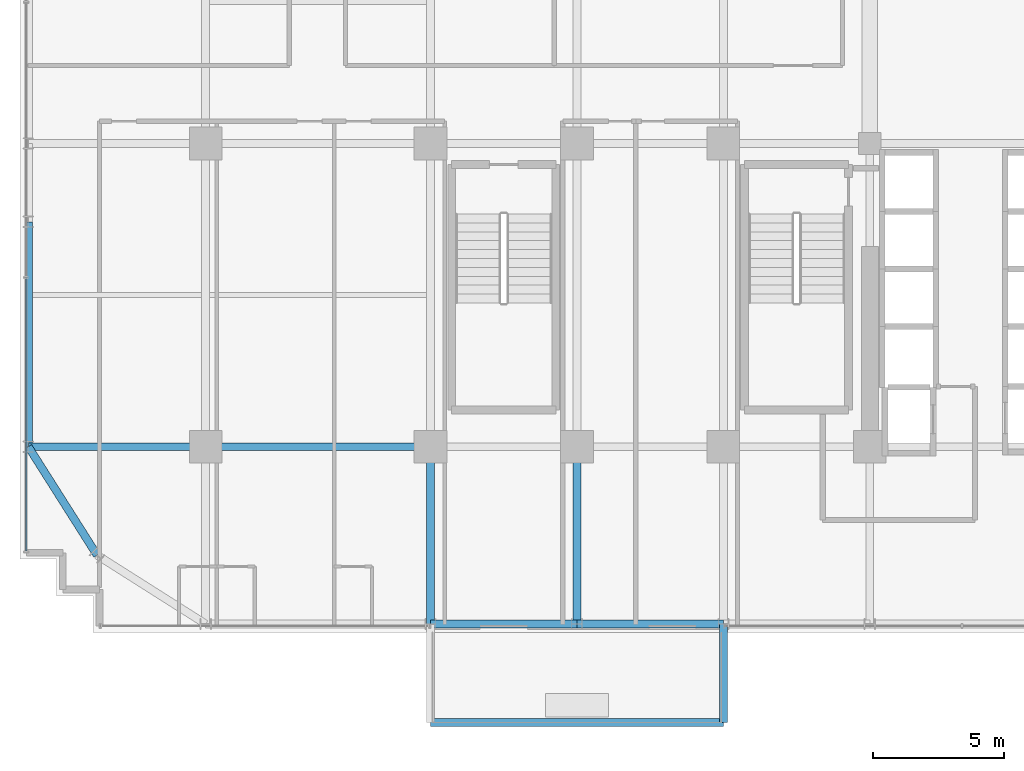
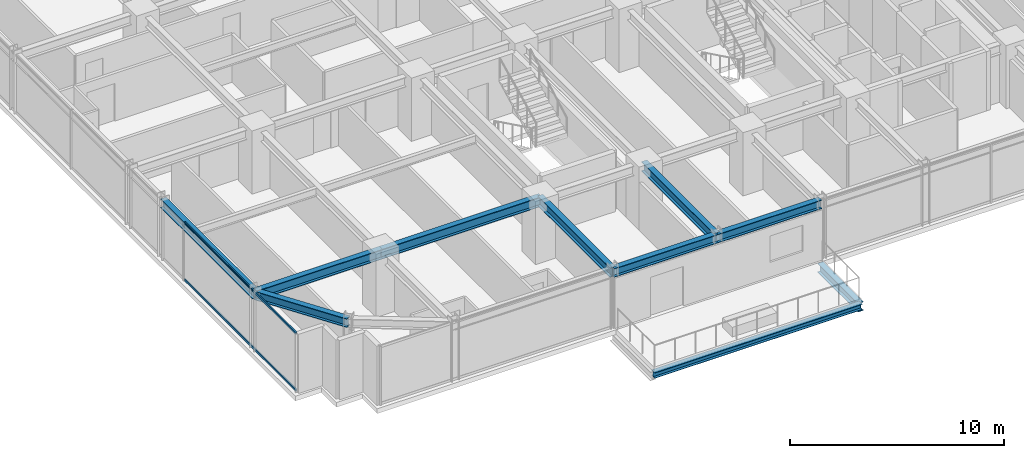
# One storey, part 4 of 33: 10 beams, 2 members, 1 element without a shape of its own.
"""IFC4 building model written with IfcOpenShell, lengths in metres."""

from ifc_helpers import new_model, si_unit, direction, frame, origin, origin_2d, place, context, subcontext, project, spatial, hollow_rectangle, i_section, extrude, source, transform, mapped, material, material_profile, profile_set, type_object, element, aggregate, save


model = new_model("IFC4")

# Units and contexts
model_context = context("Model", 3, precision=1e-05, world=origin(), true_north=direction((0.0, 1.0)))
body_context = subcontext(model_context, "Body", "Model", "MODEL_VIEW")
ifc_project = project(units=[si_unit("LENGTHUNIT", "METRE"), si_unit("AREAUNIT", "SQUARE_METRE"), si_unit("VOLUMEUNIT", "CUBIC_METRE"), si_unit("PLANEANGLEUNIT", "RADIAN"), si_unit("MASSUNIT", "GRAM", prefix="KILO")], contexts=[model_context])

# Site, building, storey
site_placement = place(None, origin())
site = spatial("IfcSite", under=ifc_project, at=site_placement, CompositionType="ELEMENT")
building_placement = place(site_placement, origin())
building = spatial("IfcBuilding", under=site, at=building_placement, Name="Nahalor Promenade Grand Hotel", CompositionType="ELEMENT")
storey_placement = place(building_placement, frame((0.0, 0.0, 117.5)))
storey = spatial("IfcBuildingStorey", under=building, at=storey_placement, Name="L29", CompositionType="ELEMENT", Elevation=117.5)

# Beams
ifc_material_1 = material(Name="Steel S355JR", Category="steel")
ifc_material_profile_1 = material_profile(ifc_material_1, i_section(OverallWidth=0.3, OverallDepth=0.32, WebThickness=0.0115, FlangeThickness=0.0205, at=origin_2d()), Name="HEB 320")
ifc_profile_set_1 = profile_set([ifc_material_profile_1], Name="Steel S355JR")
beam_type_1 = type_object("IfcBeamType", Name="Beam-BalcEdge-HEB320", PredefinedType="SPANDREL", material=ifc_profile_set_1)
shared_shape_1 = source(origin(), body_context, "Body", "SweptSolid", [
    extrude(i_section(OverallWidth=0.3, OverallDepth=0.32, WebThickness=0.0115, FlangeThickness=0.0205, at=origin_2d()), origin(), (0.0, 0.0, 1.0), 11.199951171875),
])
beam_1_placement = place(storey_placement, frame((-8.39990234375, -27.550048828125, -0.43994140625), z_axis=(1.0, 0.0, 0.0), x_axis=(0.0, 1.0, 0.0)))
element("IfcBeam", 1, at=beam_1_placement, inside=storey, type_object=beam_type_1, Name="BM-L29-BC-01-F", PredefinedType="SPANDREL", context=body_context, shape_type="MappedRepresentation", body=[
    mapped(shared_shape_1, transform((0.0, 0.0, 0.0), scale=1.0)),
])
ifc_material_profile_2 = material_profile(ifc_material_1, i_section(OverallWidth=0.3, OverallDepth=0.5, WebThickness=0.0145, FlangeThickness=0.028, at=origin_2d()), Name="HEB 500")
ifc_profile_set_2 = profile_set([ifc_material_profile_2], Name="Steel S355JR")
beam_type_2 = type_object("IfcBeamType", Name="Beam-Outrigger-HEB500", PredefinedType="BEAM", material=ifc_profile_set_2)
shared_shape_2 = source(origin(), body_context, "Body", "SweptSolid", [
    extrude(i_section(OverallWidth=0.3, OverallDepth=0.5, WebThickness=0.0145, FlangeThickness=0.028, at=origin_2d()), origin(), (0.0, 0.0, 1.0), 3.77001953125),
])
beam_2_placement = place(storey_placement, frame((2.800048828125, -27.550048828125, -0.530029296875), z_axis=(0.0, 1.0, 0.0), x_axis=(-1.0, 0.0, 0.0)))
element("IfcBeam", 2, at=beam_2_placement, inside=storey, type_object=beam_type_2, Name="BM-L29-BC-01-2", PredefinedType="BEAM", context=body_context, shape_type="MappedRepresentation", body=[
    mapped(shared_shape_2, transform((0.0, 0.0, 0.0), scale=1.0)),
])
ifc_material_profile_3 = material_profile(ifc_material_1, i_section(OverallWidth=0.3, OverallDepth=0.5, WebThickness=0.0145, FlangeThickness=0.028, at=origin_2d()), Name="HEB 500")
ifc_profile_set_3 = profile_set([ifc_material_profile_3], Name="Steel S355JR")
beam_type_3 = type_object("IfcBeamType", Name="Beam-Spandrel-HEB500", PredefinedType="SPANDREL", material=ifc_profile_set_3)
shared_shape_3 = source(origin(), body_context, "Body", "SweptSolid", [
    extrude(i_section(OverallWidth=0.3, OverallDepth=0.5, WebThickness=0.0145, FlangeThickness=0.028, at=origin_2d()), origin(), (0.0, 0.0, 1.0), 8.60009765625),
])
beam_3_placement = place(storey_placement, frame((-23.780029296875, -17.0, 3.1298828125), z_axis=(0.0, 1.0, 0.0), x_axis=(-1.0, 0.0, 0.0)))
element("IfcBeam", 3, at=beam_3_placement, inside=storey, type_object=beam_type_3, Name="BM-L29-SP-W-0", PredefinedType="SPANDREL", context=body_context, shape_type="MappedRepresentation", body=[
    mapped(shared_shape_3, transform((0.0, 0.0, 0.0), scale=1.0)),
])
shared_shape_4 = source(origin(), body_context, "Body", "SweptSolid", [
    extrude(i_section(OverallWidth=0.3, OverallDepth=0.5, WebThickness=0.0145, FlangeThickness=0.028, at=origin_2d()), origin(), (0.0, 0.0, 1.0), 5.599853515625),
])
beam_4_placement = place(storey_placement, frame((-8.39990234375, -23.780029296875, 3.1298828125), z_axis=(1.0, 0.0, 0.0), x_axis=(0.0, 1.0, 0.0)))
element("IfcBeam", 4, at=beam_4_placement, inside=storey, type_object=beam_type_3, Name="BM-L29-SP-S-1", PredefinedType="SPANDREL", context=body_context, shape_type="MappedRepresentation", body=[
    mapped(shared_shape_4, transform((0.0, 0.0, 0.0), scale=1.0)),
])
shared_shape_5 = source(origin(), body_context, "Body", "SweptSolid", [
    extrude(i_section(OverallWidth=0.3, OverallDepth=0.5, WebThickness=0.0145, FlangeThickness=0.028, at=origin_2d()), origin(), (0.0, 0.0, 1.0), 5.60009765625),
])
beam_5_placement = place(storey_placement, frame((-2.800048828125, -23.780029296875, 3.1298828125), z_axis=(1.0, 0.0, 0.0), x_axis=(0.0, 1.0, 0.0)))
element("IfcBeam", 5, at=beam_5_placement, inside=storey, type_object=beam_type_3, Name="BM-L29-SP-S-2", PredefinedType="SPANDREL", context=body_context, shape_type="MappedRepresentation", body=[
    mapped(shared_shape_5, transform((0.0, 0.0, 0.0), scale=1.0)),
])
shared_shape_6 = source(origin(), body_context, "Body", "SweptSolid", [
    extrude(i_section(OverallWidth=0.3, OverallDepth=0.5, WebThickness=0.0145, FlangeThickness=0.028, at=origin_2d()), origin(), (0.0, 0.0, 1.0), 4.9130859375),
])
beam_6_placement = place(storey_placement, frame((-21.14990234375, -21.14990234375, 3.1298828125), z_axis=(-0.535321591403, 0.844648325505, 0.0), x_axis=(-0.844648325505, -0.535321591403, 0.0)))
element("IfcBeam", 6, at=beam_6_placement, inside=storey, type_object=beam_type_3, Name="BM-L29-SPC-SW-2", PredefinedType="SPANDREL", context=body_context, shape_type="MappedRepresentation", body=[
    mapped(shared_shape_6, transform((0.0, 0.0, 0.0), scale=1.0)),
])
ifc_material_profile_4 = material_profile(ifc_material_1, i_section(OverallWidth=0.3, OverallDepth=0.55, WebThickness=0.015, FlangeThickness=0.029, at=origin_2d()), Name="HEB 550")
ifc_profile_set_4 = profile_set([ifc_material_profile_4], Name="Steel S355JR")
beam_type_4 = type_object("IfcBeamType", Name="Beam-Girder-HEB550", PredefinedType="BEAM", material=ifc_profile_set_4)
shared_shape_7 = source(origin(), body_context, "Body", "SweptSolid", [
    extrude(i_section(OverallWidth=0.3, OverallDepth=0.55, WebThickness=0.015, FlangeThickness=0.029, at=origin_2d()), origin(), (0.0, 0.0, 1.0), 6.780029296875),
])
for number, where, z_axis, x_axis, name in (
    (7, (-23.780029296875, -17.0, 3.10498046875), (1.0, 0.0, 0.0), (0.0, 1.0, 0.0), "BM-L29-GX-0-0"),
    (8, (-8.39990234375, -23.780029296875, 3.10498046875), (0.0, 1.0, 0.0), (-1.0, 0.0, 0.0), "BM-L29-GY-1-0"),
    (9, (-2.800048828125, -23.780029296875, 3.10498046875), (0.0, 1.0, 0.0), (-1.0, 0.0, 0.0), "BM-L29-GY-2-0"),
):
    element("IfcBeam", number, at=place(storey_placement, frame(where, z_axis=z_axis, x_axis=x_axis)), inside=storey, type_object=beam_type_4, Name=name, PredefinedType="BEAM", context=body_context, shape_type="MappedRepresentation", body=[
        mapped(shared_shape_7, transform((0.0, 0.0, 0.0), scale=1.0)),
    ])
shared_shape_8 = source(origin(), body_context, "Body", "SweptSolid", [
    extrude(i_section(OverallWidth=0.3, OverallDepth=0.55, WebThickness=0.015, FlangeThickness=0.029, at=origin_2d()), origin(), (0.0, 0.0, 1.0), 8.60009765625),
])
beam_7_placement = place(storey_placement, frame((-17.0, -17.0, 3.10498046875), z_axis=(1.0, 0.0, 0.0), x_axis=(0.0, 1.0, 0.0)))
element("IfcBeam", 10, at=beam_7_placement, inside=storey, type_object=beam_type_4, Name="BM-L29-GX-0-1", PredefinedType="BEAM", context=body_context, shape_type="MappedRepresentation", body=[
    mapped(shared_shape_8, transform((0.0, 0.0, 0.0), scale=1.0)),
])

# Curtain wall, members
ifc_material_2 = material(Name="Anodised Bronze Aluminium EN AW-6063 T6", Category="aluminium")
curtain_wall_type = type_object("IfcCurtainWallType", Name="CW2 Typical Hotel Flush Bronze Unitised Curtain Wall", PredefinedType="USERDEFINED", material=ifc_material_2)
curtain_wall_placement = place(storey_placement, origin())
curtain_wall = element("IfcCurtainWall", 11, at=curtain_wall_placement, inside=storey, type_object=curtain_wall_type, Name="L29 Curtain Wall CW-L29-W-1", ObjectType="UNITISED_CURTAIN_WALL", PredefinedType="USERDEFINED")
ifc_material_profile_5 = material_profile(ifc_material_2, hollow_rectangle(XDim=0.065, YDim=0.13, WallThickness=0.004, at=origin_2d()), Name="CWT 65x130x4")
ifc_profile_set_5 = profile_set([ifc_material_profile_5], Name="Anodised Bronze Aluminium EN AW-6063 T6")
member_type = type_object("IfcMemberType", Name="CWT2 Typical Bronze Transom 65x130", PredefinedType="USERDEFINED", material=ifc_profile_set_5)
shared_shape_9 = source(origin(), body_context, "Body", "SweptSolid", [
    extrude(hollow_rectangle(XDim=0.065, YDim=0.13, WallThickness=0.004, at=origin_2d()), origin(), (0.0, 0.0, 1.0), 10.4326171875),
])
member_1_placement = place(storey_placement, frame((-23.860107421875, -20.9951171875, 0.06494140625), z_axis=(0.0, 1.0, 0.0), x_axis=(-1.0, 0.0, 0.0)))
member_1 = element("IfcMember", 12, at=member_1_placement, type_object=member_type, Name="CW-L29-W-1 Transom 0-0", ObjectType="TRANSOM", PredefinedType="USERDEFINED", context=body_context, shape_type="MappedRepresentation", body=[
    mapped(shared_shape_9, transform((0.0, 0.0, 0.0), scale=1.0)),
])
member_2_placement = place(storey_placement, frame((-23.860107421875, -20.9951171875, 3.31494140625), z_axis=(0.0, 1.0, 0.0), x_axis=(-1.0, 0.0, 0.0)))
member_2 = element("IfcMember", 13, at=member_2_placement, type_object=member_type, Name="CW-L29-W-1 Transom 0-1", ObjectType="TRANSOM", PredefinedType="USERDEFINED", context=body_context, shape_type="MappedRepresentation", body=[
    mapped(shared_shape_9, transform((0.0, 0.0, 0.0), scale=1.0)),
])
aggregate(curtain_wall, [member_1, member_2])

save(model, "model.ifc")
